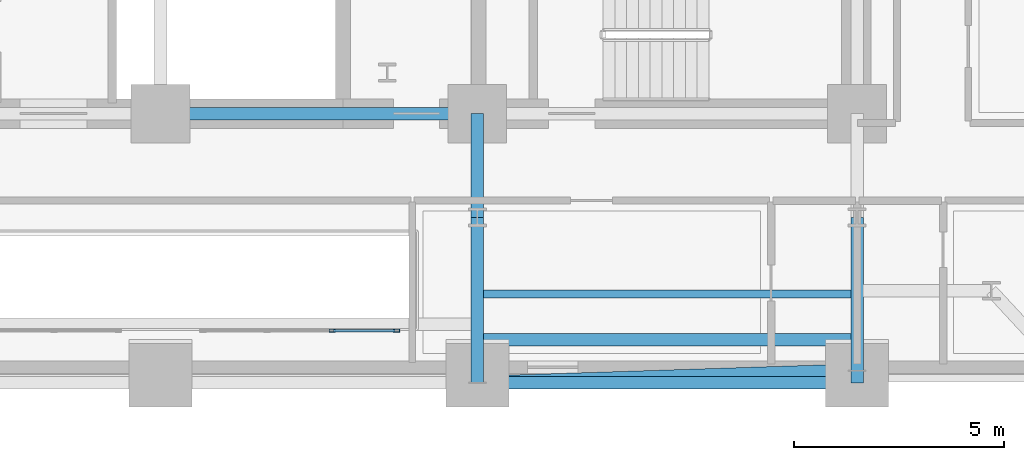
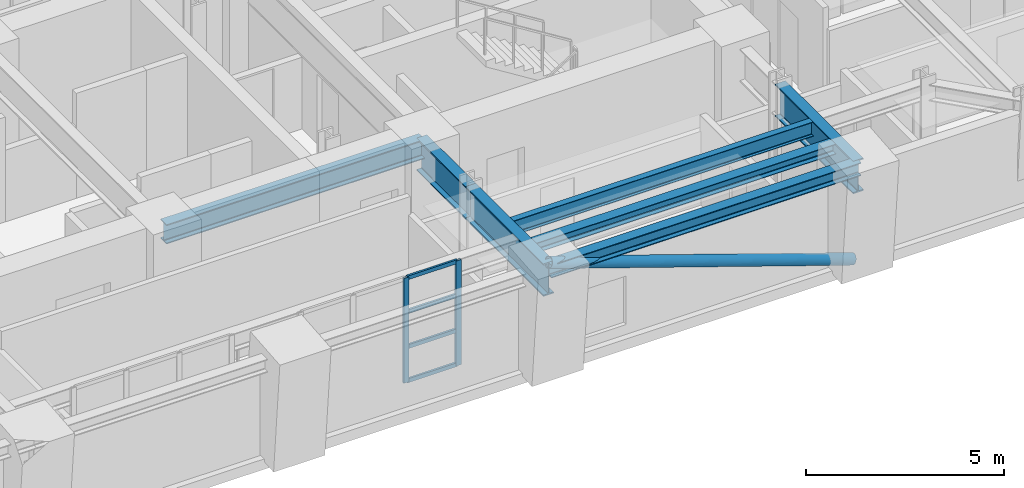
# One storey, part 5 of 15: 7 beams, 7 members, 1 element without a shape of its own.
"""IFC4 building model written with IfcOpenShell, lengths in metres."""

from ifc_helpers import new_model, si_unit, direction, frame, origin, origin_2d, place, context, subcontext, project, spatial, hollow_rectangle, hollow_circle, i_section, extrude, material, layer, layer_set, material_profile, profile_set, type_object, element, aggregate, save


model = new_model("IFC4")

# Units and contexts
model_context = context("Model", 3, precision=1e-05, world=origin(), true_north=direction((0.0, 1.0)))
body_context = subcontext(model_context, "Body", "Model", "MODEL_VIEW")
ifc_project = project(units=[si_unit("LENGTHUNIT", "METRE"), si_unit("AREAUNIT", "SQUARE_METRE"), si_unit("VOLUMEUNIT", "CUBIC_METRE"), si_unit("PLANEANGLEUNIT", "RADIAN"), si_unit("MASSUNIT", "GRAM", prefix="KILO")], contexts=[model_context])

# Site, building, storey
site_placement = place(None, origin())
site = spatial("IfcSite", under=ifc_project, at=site_placement, CompositionType="ELEMENT")
building_placement = place(site_placement, origin())
building = spatial("IfcBuilding", under=site, at=building_placement, Name="Zarnavel Station Tower", CompositionType="ELEMENT")
storey_placement = place(building_placement, frame((0.0, 0.0, 50.0)))
storey = spatial("IfcBuildingStorey", under=building, at=storey_placement, Name="L13", CompositionType="ELEMENT", Elevation=50.0)

# Curtain wall, members
ifc_material_1 = material(Name="Aluminium Dark Anodised and Solar-Control Glass", Category="aluminium")
ifc_layer = layer(ifc_material_1, 0.179931640625)
ifc_layer_set = layer_set([ifc_layer], Name="CWS2")
curtain_wall_type = type_object("IfcCurtainWallType", Name="CWS2", PredefinedType="NOTDEFINED", material=ifc_layer_set)
curtain_wall_placement = place(storey_placement, origin())
curtain_wall = element("IfcCurtainWall", 1, at=curtain_wall_placement, inside=storey, type_object=curtain_wall_type, Name="L13 Curtain Wall CWS2-L13-AS-S2", PredefinedType="NOTDEFINED")
ifc_material_2 = material(Name="Steel S355J2 (Black Fluoropolymer Coated)", Category="steel")
ifc_material_profile_1 = material_profile(ifc_material_2, hollow_rectangle(XDim=0.074951171875, YDim=0.14990234375, WallThickness=0.00634765625, at=origin_2d()), Name="RHS150x75x6.3")
ifc_profile_set_1 = profile_set([ifc_material_profile_1], Name="Steel S355J2 (Black Fluoropolymer Coated)")
member_type_1 = type_object("IfcMemberType", Name="CWS2_MUL", PredefinedType="MULLION", material=ifc_profile_set_1)
member_1_placement = place(storey_placement, frame((32.893310546875, 22.64990234375, 0.0), z_axis=(0.0, 0.0, 1.0), x_axis=(0.0, 1.0, 0.0)))
member_1 = element("IfcMember", 2, at=member_1_placement, type_object=member_type_1, Name="CW2 mullion 3", PredefinedType="MULLION", context=body_context, shape_type="SweptSolid", body=[
    extrude(hollow_rectangle(XDim=0.074951171875, YDim=0.14990234375, WallThickness=0.00634765625, at=origin_2d()), origin(), (0.0, 0.0, 1.0), 3.239990234375),
])
member_2_placement = place(storey_placement, frame((34.419921875, 22.64990234375, 0.0), z_axis=(0.0, 0.0, 1.0), x_axis=(0.0, 1.0, 0.0)))
member_2 = element("IfcMember", 3, at=member_2_placement, type_object=member_type_1, Name="CW2 mullion 4", PredefinedType="MULLION", context=body_context, shape_type="SweptSolid", body=[
    extrude(hollow_rectangle(XDim=0.074951171875, YDim=0.14990234375, WallThickness=0.00634765625, at=origin_2d()), origin(), (0.0, 0.0, 1.0), 3.239990234375),
])
ifc_material_3 = material(Name="Steel S355J2 (Black Fluoropolymer Coated)", Category="steel")
ifc_material_profile_2 = material_profile(ifc_material_3, hollow_rectangle(XDim=0.06005859375, YDim=0.1201171875, WallThickness=0.0048828125, at=origin_2d()), Name="RHS120x60x5")
ifc_profile_set_2 = profile_set([ifc_material_profile_2], Name="Steel S355J2 (Black Fluoropolymer Coated)")
member_type_2 = type_object("IfcMemberType", Name="CWS2_TRN", PredefinedType="USERDEFINED", material=ifc_profile_set_2)
member_3_placement = place(storey_placement, frame((32.92333984375, 22.64990234375, 0.030029296875), z_axis=(1.0, 0.0, 0.0), x_axis=(0.0, 1.0, 0.0)))
member_3 = element("IfcMember", 4, at=member_3_placement, type_object=member_type_2, Name="CW2 transom 3.1", ObjectType="TRANSOM", PredefinedType="USERDEFINED", context=body_context, shape_type="SweptSolid", body=[
    extrude(hollow_rectangle(XDim=0.06005859375, YDim=0.1201171875, WallThickness=0.0048828125, at=origin_2d()), origin(), (0.0, 0.0, 1.0), 1.466552734375),
])
member_4_placement = place(storey_placement, frame((32.92333984375, 22.64990234375, 1.080078125), z_axis=(1.0, 0.0, 0.0), x_axis=(0.0, 1.0, 0.0)))
member_4 = element("IfcMember", 5, at=member_4_placement, type_object=member_type_2, Name="CW2 transom 3.2", ObjectType="TRANSOM", PredefinedType="USERDEFINED", context=body_context, shape_type="SweptSolid", body=[
    extrude(hollow_rectangle(XDim=0.06005859375, YDim=0.1201171875, WallThickness=0.0048828125, at=origin_2d()), origin(), (0.0, 0.0, 1.0), 1.466552734375),
])
member_5_placement = place(storey_placement, frame((32.92333984375, 22.64990234375, 2.159912109375), z_axis=(1.0, 0.0, 0.0), x_axis=(0.0, 1.0, 0.0)))
member_5 = element("IfcMember", 6, at=member_5_placement, type_object=member_type_2, Name="CW2 transom 3.3", ObjectType="TRANSOM", PredefinedType="USERDEFINED", context=body_context, shape_type="SweptSolid", body=[
    extrude(hollow_rectangle(XDim=0.06005859375, YDim=0.1201171875, WallThickness=0.0048828125, at=origin_2d()), origin(), (0.0, 0.0, 1.0), 1.466552734375),
])
member_6_placement = place(storey_placement, frame((32.92333984375, 22.64990234375, 3.2099609375), z_axis=(1.0, 0.0, 0.0), x_axis=(0.0, 1.0, 0.0)))
member_6 = element("IfcMember", 7, at=member_6_placement, type_object=member_type_2, Name="CW2 transom 3.4", ObjectType="TRANSOM", PredefinedType="USERDEFINED", context=body_context, shape_type="SweptSolid", body=[
    extrude(hollow_rectangle(XDim=0.06005859375, YDim=0.1201171875, WallThickness=0.0048828125, at=origin_2d()), origin(), (0.0, 0.0, 1.0), 1.466552734375),
])
aggregate(curtain_wall, [member_1, member_2, member_3, member_4, member_5, member_6])

# Member
ifc_material_4 = material(Name="Steel S355J2", Category="steel")
ifc_material_profile_3 = material_profile(ifc_material_4, hollow_circle(Radius=0.161865234375, WallThickness=0.012451171875, at=origin_2d()), Name="CHS323.9x12.5")
ifc_profile_set_3 = profile_set([ifc_material_profile_3], Name="Steel S355J2")
member_type_3 = type_object("IfcMemberType", Name="DB_EXT_CHS324", PredefinedType="BRACE", material=ifc_profile_set_3)
member_7_placement = place(storey_placement, frame((45.39990234375, 21.697021484375, 0.0), z_axis=(-0.94104157458, -0.030540439576, 0.336909537505), x_axis=(0.032436790978, -0.999473788846, 0.0)))
element("IfcMember", 8, at=member_7_placement, inside=storey, type_object=member_type_3, Name="L13 Persian Exterior Diagonal Frame Brace 2", PredefinedType="BRACE", context=body_context, shape_type="SweptSolid", body=[
    extrude(hollow_circle(Radius=0.161865234375, WallThickness=0.012451171875, at=origin_2d()), origin(), (0.0, 0.0, 1.0), 9.61669921875),
])

# Beams
ifc_material_5 = material(Name="Steel S355J2", Category="steel")
ifc_material_profile_4 = material_profile(ifc_material_5, i_section(OverallWidth=0.300048828125, OverallDepth=0.39990234375, WebThickness=0.013427734375, FlangeThickness=0.02392578125, FilletRadius=0.027099609375, at=origin_2d()), Name="HEB400")
ifc_profile_set_4 = profile_set([ifc_material_profile_4], Name="Steel S355J2")
beam_type_1 = type_object("IfcBeamType", Name="EB_HEB400", PredefinedType="SPANDREL", material=ifc_profile_set_4)
beam_1_placement = place(storey_placement, frame((36.35009765625, 21.4033203125, 3.0400390625), z_axis=(1.0, 0.0, 0.0), x_axis=(0.0, 1.0, 0.0)))
element("IfcBeam", 9, at=beam_1_placement, inside=storey, type_object=beam_type_1, Name="L13 South Raked Spandrel 4", PredefinedType="SPANDREL", context=body_context, shape_type="SweptSolid", body=[
    extrude(i_section(OverallWidth=0.300048828125, OverallDepth=0.39990234375, WebThickness=0.013427734375, FlangeThickness=0.02392578125, FilletRadius=0.027099609375, at=origin_2d()), origin(), (0.0, 0.0, 1.0), 9.0498046875),
])
ifc_material_6 = material(Name="Steel S355J2", Category="steel")
ifc_material_profile_5 = material_profile(ifc_material_6, i_section(OverallWidth=0.300048828125, OverallDepth=0.31005859375, WebThickness=0.009033203125, FlangeThickness=0.015380859375, FilletRadius=0.027099609375, at=origin_2d()), Name="HEA320")
ifc_profile_set_5 = profile_set([ifc_material_profile_5], Name="Steel S355J2")
beam_type_2 = type_object("IfcBeamType", Name="FB_HEA320", PredefinedType="BEAM", material=ifc_profile_set_5)
beam_2_placement = place(storey_placement, frame((36.4951171875, 22.435546875, 3.0849609375), z_axis=(1.0, 0.0, 0.0), x_axis=(0.0, 1.0, 0.0)))
element("IfcBeam", 10, at=beam_2_placement, inside=storey, type_object=beam_type_2, Name="L13 East Bay Beam 1", PredefinedType="BEAM", context=body_context, shape_type="SweptSolid", body=[
    extrude(i_section(OverallWidth=0.300048828125, OverallDepth=0.31005859375, WebThickness=0.009033203125, FlangeThickness=0.015380859375, FilletRadius=0.027099609375, at=origin_2d()), origin(), (0.0, 0.0, 1.0), 8.759765625),
])
ifc_material_7 = material(Name="Steel S355J2", Category="steel")
ifc_material_profile_6 = material_profile(ifc_material_7, i_section(OverallWidth=0.18994140625, OverallDepth=0.449951171875, WebThickness=0.009521484375, FlangeThickness=0.0146484375, FilletRadius=0.02099609375, at=origin_2d()), Name="IPE450")
ifc_profile_set_6 = profile_set([ifc_material_profile_6], Name="Steel S355J2")
beam_type_3 = type_object("IfcBeamType", Name="FB_IPE450", PredefinedType="BEAM", material=ifc_profile_set_6)
beam_3_placement = place(storey_placement, frame((36.4951171875, 23.517822265625, 3.014892578125), z_axis=(1.0, 0.0, 0.0), x_axis=(0.0, 1.0, 0.0)))
element("IfcBeam", 11, at=beam_3_placement, inside=storey, type_object=beam_type_3, Name="L13 East Bay Beam 2", PredefinedType="BEAM", context=body_context, shape_type="SweptSolid", body=[
    extrude(i_section(OverallWidth=0.18994140625, OverallDepth=0.449951171875, WebThickness=0.009521484375, FlangeThickness=0.0146484375, FilletRadius=0.02099609375, at=origin_2d()), origin(), (0.0, 0.0, 1.0), 8.759765625),
])
ifc_material_8 = material(Name="Steel S355J2", Category="steel")
ifc_material_profile_7 = material_profile(ifc_material_8, i_section(OverallWidth=0.300048828125, OverallDepth=0.60009765625, WebThickness=0.015380859375, FlangeThickness=0.030029296875, FilletRadius=0.027099609375, at=origin_2d()), Name="HEB600")
ifc_profile_set_7 = profile_set([ifc_material_profile_7], Name="Steel S355J2")
beam_type_4 = type_object("IfcBeamType", Name="FG_HEB600", PredefinedType="USERDEFINED", material=ifc_profile_set_7)
beam_4_placement = place(storey_placement, frame((28.800048828125, 27.820068359375, 2.93994140625), z_axis=(1.0, 0.0, 0.0), x_axis=(0.0, 1.0, 0.0)))
element("IfcBeam", 12, at=beam_4_placement, inside=storey, type_object=beam_type_4, Name="L13 Core Front Coupling Beam 3", ObjectType="GIRDER", PredefinedType="USERDEFINED", context=body_context, shape_type="SweptSolid", body=[
    extrude(i_section(OverallWidth=0.300048828125, OverallDepth=0.60009765625, WebThickness=0.015380859375, FlangeThickness=0.030029296875, FilletRadius=0.027099609375, at=origin_2d()), origin(), (0.0, 0.0, 1.0), 7.550048828125),
])
ifc_material_9 = material(Name="Steel S460M", Category="steel")
ifc_material_profile_8 = material_profile(ifc_material_9, i_section(OverallWidth=0.302001953125, OverallDepth=1.008056640625, WebThickness=0.02099609375, FlangeThickness=0.0400390625, FilletRadius=0.030029296875, at=origin_2d()), Name="HEM1000")
ifc_profile_set_8 = profile_set([ifc_material_profile_8], Name="Steel S460M")
beam_type_5 = type_object("IfcBeamType", Name="TG_HEM1000", PredefinedType="USERDEFINED", material=ifc_profile_set_8)
beam_5_placement = place(storey_placement, frame((36.35009765625, 21.4033203125, 2.736083984375), z_axis=(0.0, 1.0, 0.0), x_axis=(-1.0, 0.0, 0.0)))
element("IfcBeam", 13, at=beam_5_placement, inside=storey, type_object=beam_type_5, Name="L13 South-Zone NS Girder 4", ObjectType="GIRDER", PredefinedType="USERDEFINED", context=body_context, shape_type="SweptSolid", body=[
    extrude(i_section(OverallWidth=0.302001953125, OverallDepth=1.008056640625, WebThickness=0.02099609375, FlangeThickness=0.0400390625, FilletRadius=0.030029296875, at=origin_2d()), origin(), (0.0, 0.0, 1.0), 3.94677734375),
])
beam_6_placement = place(storey_placement, frame((36.35009765625, 25.35009765625, 2.736083984375), z_axis=(0.0, 1.0, 0.0), x_axis=(-1.0, 0.0, 0.0)))
element("IfcBeam", 14, at=beam_6_placement, inside=storey, type_object=beam_type_5, Name="L13 Inner-Zone NS Girder 4", ObjectType="GIRDER", PredefinedType="USERDEFINED", context=body_context, shape_type="SweptSolid", body=[
    extrude(i_section(OverallWidth=0.302001953125, OverallDepth=1.008056640625, WebThickness=0.02099609375, FlangeThickness=0.0400390625, FilletRadius=0.030029296875, at=origin_2d()), origin(), (0.0, 0.0, 1.0), 2.469970703125),
])
beam_7_placement = place(storey_placement, frame((45.39990234375, 21.4033203125, 2.736083984375), z_axis=(0.0, 1.0, 0.0), x_axis=(-1.0, 0.0, 0.0)))
element("IfcBeam", 15, at=beam_7_placement, inside=storey, type_object=beam_type_5, Name="L13 South-Zone NS Girder 5", ObjectType="GIRDER", PredefinedType="USERDEFINED", context=body_context, shape_type="SweptSolid", body=[
    extrude(i_section(OverallWidth=0.302001953125, OverallDepth=1.008056640625, WebThickness=0.02099609375, FlangeThickness=0.0400390625, FilletRadius=0.030029296875, at=origin_2d()), origin(), (0.0, 0.0, 1.0), 3.94677734375),
])

save(model, "model.ifc")
